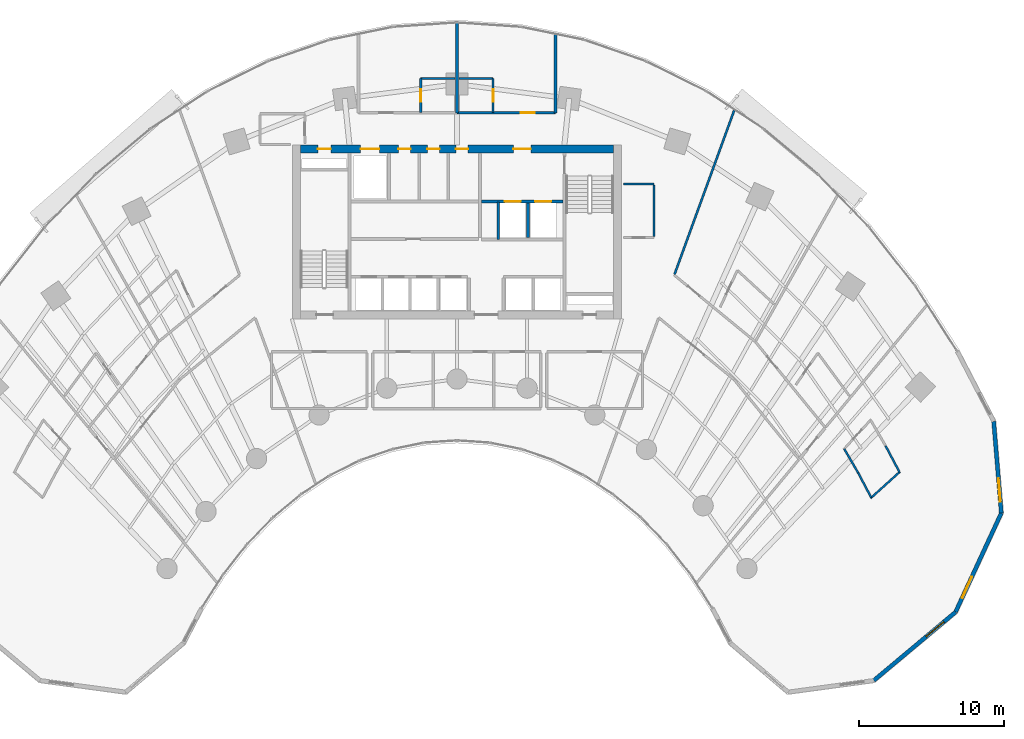
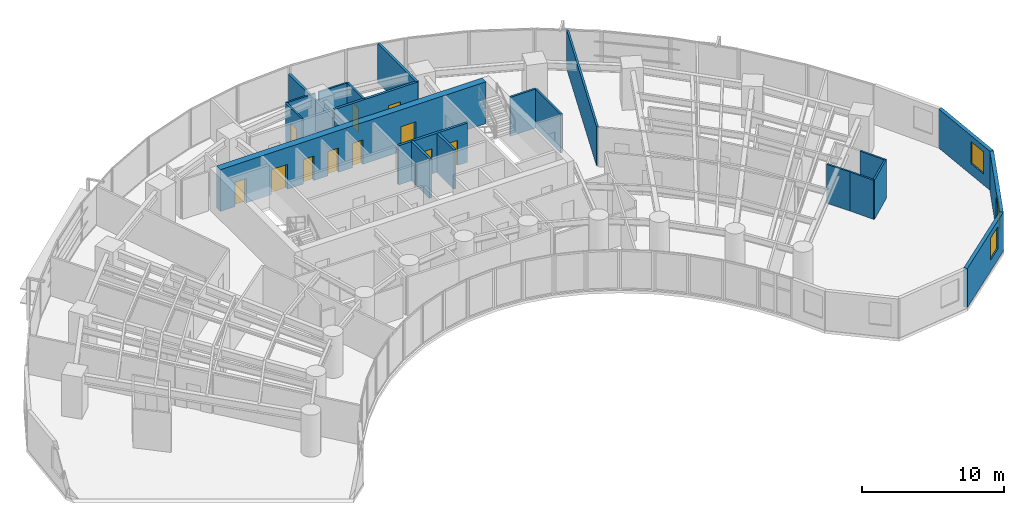
# One storey, part 14 of 17: 21 walls, 11 doors, 3 windows, 14 openings.
"""IFC4 building model written with IfcOpenShell, lengths in metres."""

import ifcopenshell
import ifcopenshell.guid

model = None  # the IFC model being written
_history = None  # IfcOwnerHistory: only IFC2X3 demands one
_inside = {}  # id of a spatial element -> (the spatial element, [elements in it])
_under = {}  # id of a project, library or spatial element -> (it, [spatial elements below it])
_declared = {}  # id of a project -> (the project, [libraries it declares])
_typed = {}  # id of a type object -> (the type object, [elements of that type])
_made_of = {}  # id of a material, layer set ... -> (it, [elements and type objects made of it])


def new_model(schema):
    """Start an empty IFC model of exactly this schema.

    Asked for "IFC4X3", IfcOpenShell would pick the latest addendum, in which some entities
    have other attributes; the version numbers below select the first issue.
    IFC2X3 requires an IfcOwnerHistory on every rooted entity: one is made here for all.
    """
    global model, _history
    if schema == "IFC4X3":
        model = ifcopenshell.file(schema_version=(4, 3, 0, 0))
    else:
        model = ifcopenshell.file(schema=schema)
    _inside.clear()
    _under.clear()
    _declared.clear()
    _typed.clear()
    _made_of.clear()
    _history = None
    if model.schema == "IFC2X3":
        org = make("IfcOrganization", Name="unknown")
        user = make(
            "IfcPersonAndOrganization",
            ThePerson=make("IfcPerson", FamilyName="unknown"),
            TheOrganization=org,
        )
        app = make(
            "IfcApplication",
            ApplicationDeveloper=org,
            Version="unknown",
            ApplicationFullName="unknown",
            ApplicationIdentifier="unknown",
        )
        _history = make(
            "IfcOwnerHistory",
            OwningUser=user,
            OwningApplication=app,
            ChangeAction="ADDED",
            CreationDate=0,
        )
    return model


def make(cls, **values):
    """One entity of the class cls with the attributes given. An attribute that is None is left unset."""
    return model.create_entity(
        cls, **{name: value for name, value in values.items() if value is not None}
    )


def rooted(cls, **values):
    """An entity with a GlobalId (a new one), such as an element, a storey or a relation."""
    return make(cls, GlobalId=ifcopenshell.guid.new(), OwnerHistory=_history, **values)


def si_unit(unit_type, name, prefix=None):
    """IfcSIUnit, for example si_unit("LENGTHUNIT", "METRE", prefix="MILLI")."""
    return make("IfcSIUnit", UnitType=unit_type, Prefix=prefix, Name=name)


def assignment(units):
    """IfcUnitAssignment: the units of a project."""
    return None if units is None else make("IfcUnitAssignment", Units=units)


def point(xyz):
    """IfcCartesianPoint."""
    return None if xyz is None else make("IfcCartesianPoint", Coordinates=xyz)


def direction(xyz):
    """IfcDirection."""
    return None if xyz is None else make("IfcDirection", DirectionRatios=xyz)


def frame(location, z_axis=None, x_axis=None):
    """IfcAxis2Placement3D, a coordinate frame: its origin and axes. An axis left out is left unset."""
    return make(
        "IfcAxis2Placement3D",
        Location=point(location),
        Axis=direction(z_axis),
        RefDirection=direction(x_axis),
    )


def frame_2d(location, x_axis=None):
    """IfcAxis2Placement2D, a coordinate frame in the plane: its origin and x axis."""
    return make(
        "IfcAxis2Placement2D", Location=point(location), RefDirection=direction(x_axis)
    )


def origin():
    """The frame at (0, 0, 0) with its axes left unset."""
    return frame((0.0, 0.0, 0.0))


def place(relative_to, where):
    """IfcLocalPlacement: puts the frame where relative to a parent placement (None: the world)."""
    return make(
        "IfcLocalPlacement", PlacementRelTo=relative_to, RelativePlacement=where
    )


def context(
    kind, dimensions, precision=None, world=None, true_north=None, identifier=None
):
    """IfcGeometricRepresentationContext, for example the 3D "Model" context."""
    return make(
        "IfcGeometricRepresentationContext",
        ContextIdentifier=identifier,
        ContextType=kind,
        CoordinateSpaceDimension=dimensions,
        Precision=precision,
        WorldCoordinateSystem=world,
        TrueNorth=true_north,
    )


def subcontext(parent, identifier, kind, view, scale=None):
    """IfcGeometricRepresentationSubContext, for example "Body" below "Model"."""
    return make(
        "IfcGeometricRepresentationSubContext",
        ContextIdentifier=identifier,
        ContextType=kind,
        ParentContext=parent,
        TargetScale=scale,
        TargetView=view,
    )


def project(units=None, contexts=None):
    """IfcProject with its units and contexts."""
    return rooted(
        "IfcProject",
        Name="project",
        RepresentationContexts=contexts,
        UnitsInContext=assignment(units),
    )


def spatial(cls, under=None, at=None, **own):
    """A site, building, storey or space (cls), placed at a placement, below another one or the project."""
    s = rooted(cls, ObjectPlacement=at, **own)
    if under is not None:
        _under.setdefault(under.id(), (under, []))[1].append(s)
    return s


def profile(cls, at=None, kind="AREA", **sizes):
    """A parametric profile (cls). Its sizes go by their IFC names, for example OverallWidth=200.0."""
    return make(cls, ProfileType=kind, Position=at, **sizes)


def rectangle(**sizes):
    """IfcRectangleProfileDef."""
    return profile("IfcRectangleProfileDef", **sizes)


def extrude(swept, where, along, depth):
    """IfcExtrudedAreaSolid: the profile swept, set in the frame where, extruded along a direction by depth."""
    return make(
        "IfcExtrudedAreaSolid",
        SweptArea=swept,
        Position=where,
        ExtrudedDirection=direction(along),
        Depth=depth,
    )


def shape(context_of_items, identifier, shape_type, items):
    """IfcShapeRepresentation: the items that make up one representation, for example the "Body"."""
    return make(
        "IfcShapeRepresentation",
        ContextOfItems=context_of_items,
        RepresentationIdentifier=identifier,
        RepresentationType=shape_type,
        Items=items,
    )


def source(mapping_origin, context_of_items, identifier, shape_type, items):
    """IfcRepresentationMap: a shape defined once, which mapped items show again and again."""
    return make(
        "IfcRepresentationMap",
        MappingOrigin=mapping_origin,
        MappedRepresentation=shape(context_of_items, identifier, shape_type, items),
    )


def transform(
    local_origin,
    x_axis=None,
    y_axis=None,
    z_axis=None,
    scale=None,
    scale2=None,
    scale3=None,
    uniform=True,
):
    """IfcCartesianTransformationOperator3D, or its non-uniform kind. x_axis, y_axis, z_axis: its Axis1, 2, 3."""
    if uniform:
        return make(
            "IfcCartesianTransformationOperator3D",
            Axis1=direction(x_axis),
            Axis2=direction(y_axis),
            LocalOrigin=point(local_origin),
            Scale=scale,
            Axis3=direction(z_axis),
        )
    return make(
        "IfcCartesianTransformationOperator3DnonUniform",
        Axis1=direction(x_axis),
        Axis2=direction(y_axis),
        LocalOrigin=point(local_origin),
        Scale=scale,
        Axis3=direction(z_axis),
        Scale2=scale2,
        Scale3=scale3,
    )


def mapped(mapping_source, mapping_target):
    """IfcMappedItem: shows the shape of a source again, moved by a transform."""
    return make(
        "IfcMappedItem", MappingSource=mapping_source, MappingTarget=mapping_target
    )


def material(Name=None, Category=None):
    """IfcMaterial."""
    return make("IfcMaterial", Name=Name, Category=Category)


def layer(
    of_material, thickness, ventilated=None, Name=None, Category=None, Priority=None
):
    """IfcMaterialLayer: one layer of a wall or slab, of a material (None: an air gap)."""
    return make(
        "IfcMaterialLayer",
        Material=of_material,
        LayerThickness=thickness,
        IsVentilated=ventilated,
        Name=Name,
        Category=Category,
        Priority=Priority,
    )


def layer_set(layers, Name=None):
    """IfcMaterialLayerSet."""
    return make("IfcMaterialLayerSet", MaterialLayers=layers, LayerSetName=Name)


def made_of(thing, what):
    """Note that an element or type object is made of a material, layer set ...; save() writes the relation."""
    if what is not None:
        _made_of.setdefault(what.id(), (what, []))[1].append(thing)
    return thing


def type_object(cls, material=None, **own):
    """A type object (cls), such as IfcWallType, which elements share."""
    return made_of(rooted(cls, **own), material)


def type_shapes(of_type, sources):
    """Give a type object the sources (RepresentationMaps) that its elements show as mapped items."""
    of_type.RepresentationMaps = sources


def element(
    cls,
    number,
    at=None,
    inside=None,
    cuts=None,
    type_object=None,
    material=None,
    context=None,
    identifier="Body",
    shape_type=None,
    held_by="IfcProductDefinitionShape",
    body=None,
    shapes=None,
    **own,
):
    """One element of the class cls, such as IfcWall. Its Tag is "e" and its number.

    at: its placement. inside: the storey or other place that contains it. cuts: it is an
    opening in that element (IfcRelVoidsElement). A single representation is given by context,
    identifier, shape_type and body (its items); several are given by shapes. held_by: the class
    of the entity that holds the representations. save() writes the other relations.
    """
    e = rooted(cls, Tag="e%d" % number, ObjectPlacement=at, **own)
    if body is not None:
        shapes = [shape(context, identifier, shape_type, body)]
    if shapes is not None:
        e.Representation = make(held_by, Representations=shapes)
    if inside is not None:
        _inside.setdefault(inside.id(), (inside, []))[1].append(e)
    if cuts is not None:
        rooted(
            "IfcRelVoidsElement", RelatingBuildingElement=cuts, RelatedOpeningElement=e
        )
    if type_object is not None:
        _typed.setdefault(type_object.id(), (type_object, []))[1].append(e)
    return made_of(e, material)


def fill(opening, filler):
    """IfcRelFillsElement: the door or window that sits in an opening."""
    return rooted(
        "IfcRelFillsElement",
        RelatingOpeningElement=opening,
        RelatedBuildingElement=filler,
    )


def aggregate(whole, parts):
    """IfcRelAggregates: a whole, such as a stair, and the parts it consists of."""
    return rooted("IfcRelAggregates", RelatingObject=whole, RelatedObjects=parts)


def save(model, path):
    """Write the relations noted so far, then the file.

    IfcRelAggregates (storeys below a building ...), IfcRelContainedInSpatialStructure (elements
    in a storey), IfcRelDefinesByType, IfcRelAssociatesMaterial and IfcRelDeclares: one each for
    every whole, place, type object, material and project.
    """
    for whole, parts in _under.values():
        aggregate(whole, parts)
    for where, things in _inside.values():
        rooted(
            "IfcRelContainedInSpatialStructure",
            RelatedElements=things,
            RelatingStructure=where,
        )
    for kind, things in _typed.values():
        rooted("IfcRelDefinesByType", RelatedObjects=things, RelatingType=kind)
    for what, things in _made_of.values():
        rooted("IfcRelAssociatesMaterial", RelatedObjects=things, RelatingMaterial=what)
    for by, libraries in _declared.values():
        rooted("IfcRelDeclares", RelatingContext=by, RelatedDefinitions=libraries)
    model.write(path)


model = new_model("IFC4")

# Units and contexts
model_context = context("Model", 3, precision=1e-05, world=origin(), true_north=direction((0.0, 1.0)))
body_context = subcontext(model_context, "Body", "Model", "MODEL_VIEW")
ifc_project = project(units=[si_unit("LENGTHUNIT", "METRE"), si_unit("AREAUNIT", "SQUARE_METRE"), si_unit("VOLUMEUNIT", "CUBIC_METRE"), si_unit("PLANEANGLEUNIT", "RADIAN"), si_unit("MASSUNIT", "GRAM", prefix="KILO")], contexts=[model_context])

# Site, building, storey
site_placement = place(None, origin())
site = spatial("IfcSite", under=ifc_project, at=site_placement, CompositionType="ELEMENT")
building_placement = place(site_placement, origin())
building = spatial("IfcBuilding", under=site, at=building_placement, Name="Breltana Convention Tower", CompositionType="ELEMENT")
storey_placement = place(building_placement, frame((0.0, 0.0, 49.800048828125)))
storey = spatial("IfcBuildingStorey", under=building, at=storey_placement, Name="L10", CompositionType="ELEMENT", Elevation=49.800048828125)

# Wall, openings, doors
ifc_material_1 = material(Name="Concrete C60/75", Category="concrete")
ifc_layer_1 = layer(ifc_material_1, 0.550048828125, Name="Concrete C60/75")
ifc_layer_set_1 = layer_set([ifc_layer_1], Name="Concrete C60/75")
wall_type_1 = type_object("IfcWallType", Name="SW-CORE-550", PredefinedType="SHEAR", material=ifc_layer_set_1)
shared_shape_1 = source(origin(), body_context, "Body", "SweptSolid", [
    extrude(rectangle(XDim=21.60009765625, YDim=0.550048828125, at=frame_2d((10.800048828125, 0.0))), origin(), (0.0, 0.0, 1.0), 3.599853515625),
])
wall_1_placement = place(storey_placement, frame((37.199951171875, 71.925048828125, 0.0), z_axis=(0.0, 0.0, 1.0), x_axis=(1.0, 0.0, 0.0)))
wall_1 = element("IfcWall", 1, at=wall_1_placement, inside=storey, type_object=wall_type_1, Name="L10 North Core Shear Wall", PredefinedType="SHEAR", context=body_context, shape_type="MappedRepresentation", body=[
    mapped(shared_shape_1, transform((0.0, 0.0, 0.0), scale=1.0)),
])
opening_1_placement = place(wall_1_placement, frame((1.199951171875, 0.0, 0.0)))
opening_1 = element("IfcOpeningElement", 2, at=opening_1_placement, cuts=wall_1, Name="Opening D-18", PredefinedType="OPENING", context=body_context, shape_type="SweptSolid", body=[
    extrude(rectangle(XDim=0.89990234375, YDim=2.10009765625, at=frame_2d((0.449951171875, 1.050048828125))), frame((0.0, 0.28515625, 0.0), z_axis=(0.0, -1.0, 0.0), x_axis=(1.0, 0.0, 0.0)), (0.0, 0.0, 1.0), 0.570068359375),
])
opening_2_placement = place(wall_1_placement, frame((14.699951171875, 0.0, 0.0)))
opening_2 = element("IfcOpeningElement", 3, at=opening_2_placement, cuts=wall_1, Name="Opening D-09", PredefinedType="OPENING", context=body_context, shape_type="SweptSolid", body=[
    extrude(rectangle(XDim=1.199951171875, YDim=2.14990234375, at=frame_2d((0.60009765625, 1.074951171875))), frame((0.0, 0.28515625, 0.0), z_axis=(0.0, -1.0, 0.0), x_axis=(1.0, 0.0, 0.0)), (0.0, 0.0, 1.0), 0.570068359375),
])
opening_3_placement = place(wall_1_placement, frame((4.14990234375, 0.0, 0.0)))
opening_3 = element("IfcOpeningElement", 4, at=opening_3_placement, cuts=wall_1, Name="Opening LD-01", PredefinedType="OPENING", context=body_context, shape_type="SweptSolid", body=[
    extrude(rectangle(XDim=1.300048828125, YDim=2.14990234375, at=frame_2d((0.64990234375, 1.074951171875))), frame((0.0, 0.28515625, 0.0), z_axis=(0.0, -1.0, 0.0), x_axis=(1.0, 0.0, 0.0)), (0.0, 0.0, 1.0), 0.570068359375),
])
opening_4_placement = place(wall_1_placement, frame((6.760009765625, 0.0, 0.0)))
opening_4 = element("IfcOpeningElement", 5, at=opening_4_placement, cuts=wall_1, Name="Opening D-20", PredefinedType="OPENING", context=body_context, shape_type="SweptSolid", body=[
    extrude(rectangle(XDim=0.85009765625, YDim=2.10009765625, at=frame_2d((0.425048828125, 1.050048828125))), frame((0.0, 0.28515625, 0.0), z_axis=(0.0, -1.0, 0.0), x_axis=(1.0, 0.0, 0.0)), (0.0, 0.0, 1.0), 0.570068359375),
])
opening_5_placement = place(wall_1_placement, frame((8.760009765625, 0.0, 0.0)))
opening_5 = element("IfcOpeningElement", 6, at=opening_5_placement, cuts=wall_1, Name="Opening D-20", PredefinedType="OPENING", context=body_context, shape_type="SweptSolid", body=[
    extrude(rectangle(XDim=0.85009765625, YDim=2.10009765625, at=frame_2d((0.425048828125, 1.050048828125))), frame((0.0, 0.28515625, 0.0), z_axis=(0.0, -1.0, 0.0), x_axis=(1.0, 0.0, 0.0)), (0.0, 0.0, 1.0), 0.570068359375),
])
opening_6_placement = place(wall_1_placement, frame((10.72509765625, 0.0, 0.0)))
opening_6 = element("IfcOpeningElement", 7, at=opening_6_placement, cuts=wall_1, Name="Opening D-20", PredefinedType="OPENING", context=body_context, shape_type="SweptSolid", body=[
    extrude(rectangle(XDim=0.85009765625, YDim=2.10009765625, at=frame_2d((0.425048828125, 1.050048828125))), frame((0.0, 0.28515625, 0.0), z_axis=(0.0, -1.0, 0.0), x_axis=(1.0, 0.0, 0.0)), (0.0, 0.0, 1.0), 0.570068359375),
])
ifc_material_2 = material(Name="Steel Riser Fire Door", Category="steel")
door_type_1 = type_object("IfcDoorType", Name="DR-FD60-900", OperationType="NOTDEFINED", PredefinedType="DOOR", material=ifc_material_2)
shared_shape_2 = source(origin(), body_context, "Body", "SweptSolid", [
    extrude(rectangle(XDim=0.89990234375, YDim=2.10009765625, at=frame_2d((0.449951171875, 1.050048828125))), frame((0.0, 0.02490234375, 0.0), z_axis=(0.0, -1.0, 0.0), x_axis=(1.0, 0.0, 0.0)), (0.0, 0.0, 1.0), 0.050048828125),
])
type_shapes(door_type_1, [shared_shape_2])
door_1_placement = place(opening_1_placement, origin())
door_1 = element("IfcDoor", 8, at=door_1_placement, inside=storey, type_object=door_type_1, Name="L10 Core Riser Access Door D-L10-RS1", OperationType="SINGLE_SWING_LEFT", OverallHeight=2.10009765625, OverallWidth=0.89990234375, PredefinedType="DOOR", context=body_context, shape_type="MappedRepresentation", body=[
    mapped(shared_shape_2, transform((0.0, 0.0, 0.0), scale=1.0)),
])
fill(opening_1, door_1)
ifc_material_3 = material(Name="Steel Fire Lobby Door", Category="steel")
door_type_2 = type_object("IfcDoorType", Name="DR-FD120-1200", OperationType="NOTDEFINED", PredefinedType="DOOR", material=ifc_material_3)
shared_shape_3 = source(origin(), body_context, "Body", "SweptSolid", [
    extrude(rectangle(XDim=1.199951171875, YDim=2.14990234375, at=frame_2d((0.60009765625, 1.074951171875))), frame((0.0, 0.02490234375, 0.0), z_axis=(0.0, -1.0, 0.0), x_axis=(1.0, 0.0, 0.0)), (0.0, 0.0, 1.0), 0.050048828125),
])
type_shapes(door_type_2, [shared_shape_3])
door_2_placement = place(opening_2_placement, origin())
door_2 = element("IfcDoor", 9, at=door_2_placement, inside=storey, type_object=door_type_2, Name="L10 interior door D-L10-FFL-N", OperationType="SINGLE_SWING_RIGHT", OverallHeight=2.14990234375, OverallWidth=1.199951171875, PredefinedType="DOOR", context=body_context, shape_type="MappedRepresentation", body=[
    mapped(shared_shape_3, transform((0.0, 0.0, 0.0), scale=1.0)),
])
fill(opening_2, door_2)
ifc_material_4 = material(Name="Stainless Steel Brushed", Category="steel")
door_type_3 = type_object("IfcDoorType", Name="DR-LD-SRV-1300", OperationType="DOUBLE_DOOR_SLIDING", PredefinedType="DOOR", material=ifc_material_4)
shared_shape_4 = source(origin(), body_context, "Body", "SweptSolid", [
    extrude(rectangle(XDim=1.300048828125, YDim=2.14990234375, at=frame_2d((0.64990234375, 1.074951171875))), frame((0.0, 0.02490234375, 0.0), z_axis=(0.0, -1.0, 0.0), x_axis=(1.0, 0.0, 0.0)), (0.0, 0.0, 1.0), 0.050048828125),
])
type_shapes(door_type_3, [shared_shape_4])
door_3_placement = place(opening_3_placement, origin())
door_3 = element("IfcDoor", 10, at=door_3_placement, inside=storey, type_object=door_type_3, Name="L10 Lift Landing Door D-L10-LD-SV1", OperationType="DOUBLE_DOOR_SLIDING", OverallHeight=2.14990234375, OverallWidth=1.300048828125, PredefinedType="DOOR", context=body_context, shape_type="MappedRepresentation", body=[
    mapped(shared_shape_4, transform((0.0, 0.0, 0.0), scale=1.0)),
])
fill(opening_3, door_3)
ifc_material_5 = material(Name="Steel Closet Fire Door", Category="steel")
door_type_4 = type_object("IfcDoorType", Name="DR-FD60-850", OperationType="NOTDEFINED", PredefinedType="DOOR", material=ifc_material_5)
shared_shape_5 = source(origin(), body_context, "Body", "SweptSolid", [
    extrude(rectangle(XDim=0.85009765625, YDim=2.10009765625, at=frame_2d((0.425048828125, 1.050048828125))), frame((0.0, 0.02490234375, 0.0), z_axis=(0.0, -1.0, 0.0), x_axis=(1.0, 0.0, 0.0)), (0.0, 0.0, 1.0), 0.050048828125),
])
type_shapes(door_type_4, [shared_shape_5])
door_4_placement = place(opening_4_placement, origin())
door_4 = element("IfcDoor", 11, at=door_4_placement, inside=storey, type_object=door_type_4, Name="L10 interior door D-L10-CRA1", OperationType="SINGLE_SWING_RIGHT", OverallHeight=2.10009765625, OverallWidth=0.85009765625, PredefinedType="DOOR", context=body_context, shape_type="MappedRepresentation", body=[
    mapped(shared_shape_5, transform((0.0, 0.0, 0.0), scale=1.0)),
])
fill(opening_4, door_4)
door_5_placement = place(opening_5_placement, origin())
door_5 = element("IfcDoor", 12, at=door_5_placement, inside=storey, type_object=door_type_4, Name="L10 interior door D-L10-CRA2", OperationType="SINGLE_SWING_LEFT", OverallHeight=2.10009765625, OverallWidth=0.85009765625, PredefinedType="DOOR", context=body_context, shape_type="MappedRepresentation", body=[
    mapped(shared_shape_5, transform((0.0, 0.0, 0.0), scale=1.0)),
])
fill(opening_5, door_5)
door_6_placement = place(opening_6_placement, origin())
door_6 = element("IfcDoor", 13, at=door_6_placement, inside=storey, type_object=door_type_4, Name="L10 interior door D-L10-CRA3", OperationType="SINGLE_SWING_RIGHT", OverallHeight=2.10009765625, OverallWidth=0.85009765625, PredefinedType="DOOR", context=body_context, shape_type="MappedRepresentation", body=[
    mapped(shared_shape_5, transform((0.0, 0.0, 0.0), scale=1.0)),
])
fill(opening_6, door_6)

# Wall, opening, window
ifc_material_6 = material(Name="Limestone Buff Insulated Wall", Category="masonry")
ifc_layer_2 = layer(ifc_material_6, 0.280029296875, Name="Limestone Buff Insulated Wall")
ifc_layer_set_2 = layer_set([ifc_layer_2], Name="Limestone Buff Insulated Wall")
wall_type_2 = type_object("IfcWallType", Name="WL-EXT-NOSE-280", PredefinedType="SOLIDWALL", material=ifc_layer_set_2)
shared_shape_6 = source(origin(), body_context, "Body", "SweptSolid", [
    extrude(rectangle(XDim=6.3525390625, YDim=0.280029296875, at=frame_2d((3.17626953125, 0.0))), origin(), (0.0, 0.0, 1.0), 3.35986328125),
])
wall_2_placement = place(storey_placement, frame((85.052978515625, 53.1220703125, 0.0), z_axis=(0.0, 0.0, 1.0), x_axis=(0.083319001377, -0.996522926986, 0.0)))
wall_2 = element("IfcWall", 14, at=wall_2_placement, inside=storey, type_object=wall_type_2, Name="L10 curved limestone nose wall E1", PredefinedType="SOLIDWALL", context=body_context, shape_type="MappedRepresentation", body=[
    mapped(shared_shape_6, transform((0.0, 0.0, 0.0), scale=1.0)),
])
opening_7_placement = place(wall_2_placement, frame((3.96435546875, 0.0, 0.949951171875)))
opening_7 = element("IfcOpeningElement", 15, at=opening_7_placement, cuts=wall_2, Name="Opening W-04", PredefinedType="OPENING", context=body_context, shape_type="SweptSolid", body=[
    extrude(rectangle(XDim=1.60009765625, YDim=1.89990234375, at=frame_2d((0.800048828125, 0.949951171875))), frame((0.0, 0.14990234375, 0.0), z_axis=(0.0, -1.0, 0.0), x_axis=(1.0, 0.0, 0.0)), (0.0, 0.0, 1.0), 0.300048828125),
])
ifc_material_7 = material(Name="Glass Low-E Insulated Window", Category="glass")
window_type = type_object("IfcWindowType", Name="WN-NOSE-1600X1900", PartitioningType="SINGLE_PANEL", PredefinedType="WINDOW", material=ifc_material_7)
shared_shape_7 = source(origin(), body_context, "Body", "SweptSolid", [
    extrude(rectangle(XDim=1.60009765625, YDim=1.89990234375, at=frame_2d((0.800048828125, 0.949951171875))), frame((0.0, 0.030029296875, 0.0), z_axis=(0.0, -1.0, 0.0), x_axis=(1.0, 0.0, 0.0)), (0.0, 0.0, 1.0), 0.06005859375),
])
type_shapes(window_type, [shared_shape_7])
window_1_placement = place(opening_7_placement, origin())
window_1 = element("IfcWindow", 16, at=window_1_placement, inside=storey, type_object=window_type, Name="L10 nose window E1", OverallHeight=1.89990234375, OverallWidth=1.60009765625, PartitioningType="SINGLE_PANEL", PredefinedType="WINDOW", context=body_context, shape_type="MappedRepresentation", body=[
    mapped(shared_shape_7, transform((0.0, 0.0, 0.0), scale=1.0)),
])
fill(opening_7, window_1)

shared_shape_8 = source(origin(), body_context, "Body", "SweptSolid", [
    extrude(rectangle(XDim=7.536376953125, YDim=0.280029296875, at=frame_2d((3.76806640625, 0.0))), origin(), (0.0, 0.0, 1.0), 3.35986328125),
])
wall_3_placement = place(storey_placement, frame((85.582275390625, 46.79150390625, 0.0), z_axis=(0.0, 0.0, 1.0), x_axis=(-0.41964973873, -0.907686122393, 0.0)))
wall_3 = element("IfcWall", 17, at=wall_3_placement, inside=storey, type_object=wall_type_2, Name="L10 curved limestone nose wall E2", PredefinedType="SOLIDWALL", context=body_context, shape_type="MappedRepresentation", body=[
    mapped(shared_shape_8, transform((0.0, 0.0, 0.0), scale=1.0)),
])
opening_8_placement = place(wall_3_placement, frame((4.852294921875, 0.0, 0.949951171875)))
opening_8 = element("IfcOpeningElement", 18, at=opening_8_placement, cuts=wall_3, Name="Opening W-04", PredefinedType="OPENING", context=body_context, shape_type="SweptSolid", body=[
    extrude(rectangle(XDim=1.60009765625, YDim=1.89990234375, at=frame_2d((0.800048828125, 0.949951171875))), frame((0.0, 0.14990234375, 0.0), z_axis=(0.0, -1.0, 0.0), x_axis=(1.0, 0.0, 0.0)), (0.0, 0.0, 1.0), 0.300048828125),
])
window_2_placement = place(opening_8_placement, origin())
window_2 = element("IfcWindow", 19, at=window_2_placement, inside=storey, type_object=window_type, Name="L10 nose window E2", OverallHeight=1.89990234375, OverallWidth=1.60009765625, PartitioningType="SINGLE_PANEL", PredefinedType="WINDOW", context=body_context, shape_type="MappedRepresentation", body=[
    mapped(shared_shape_7, transform((0.0, 0.0, 0.0), scale=1.0)),
])
fill(opening_8, window_2)

shared_shape_9 = source(origin(), body_context, "Body", "SweptSolid", [
    extrude(rectangle(XDim=7.35888671875, YDim=0.280029296875, at=frame_2d((3.679443359375, 0.0))), origin(), (0.0, 0.0, 1.0), 3.35986328125),
])
wall_4_placement = place(storey_placement, frame((82.419677734375, 39.950927734375, 0.0), z_axis=(0.0, 0.0, 1.0), x_axis=(-0.766737165543, -0.641961150675, 0.0)))
wall_4 = element("IfcWall", 20, at=wall_4_placement, inside=storey, type_object=wall_type_2, Name="L10 curved limestone nose wall E3", PredefinedType="SOLIDWALL", context=body_context, shape_type="MappedRepresentation", body=[
    mapped(shared_shape_9, transform((0.0, 0.0, 0.0), scale=1.0)),
])
opening_9_placement = place(wall_4_placement, frame((1.039794921875, 0.0, 0.949951171875)))
opening_9 = element("IfcOpeningElement", 21, at=opening_9_placement, cuts=wall_4, Name="Opening W-04", PredefinedType="OPENING", context=body_context, shape_type="SweptSolid", body=[
    extrude(rectangle(XDim=1.60009765625, YDim=1.89990234375, at=frame_2d((0.800048828125, 0.949951171875))), frame((0.0, 0.14990234375, 0.0), z_axis=(0.0, -1.0, 0.0), x_axis=(1.0, 0.0, 0.0)), (0.0, 0.0, 1.0), 0.300048828125),
])
window_3_placement = place(opening_9_placement, origin())
window_3 = element("IfcWindow", 22, at=window_3_placement, inside=storey, type_object=window_type, Name="L10 nose window E3", OverallHeight=1.89990234375, OverallWidth=1.60009765625, PartitioningType="SINGLE_PANEL", PredefinedType="WINDOW", context=body_context, shape_type="MappedRepresentation", body=[
    mapped(shared_shape_7, transform((0.0, 0.0, 0.0), scale=1.0)),
])
fill(opening_9, window_3)

# Wall
ifc_material_8 = material(Name="Gypsum Acoustic Hotel Wall")
ifc_layer_3 = layer(ifc_material_8, 0.195068359375, Name="Gypsum Acoustic Hotel Wall")
ifc_layer_set_3 = layer_set([ifc_layer_3], Name="Gypsum Acoustic Hotel Wall")
wall_type_3 = type_object("IfcWallType", Name="WL-HOTEL-200", PredefinedType="PARTITIONING", material=ifc_layer_set_3)
shared_shape_10 = source(origin(), body_context, "Body", "SweptSolid", [
    extrude(rectangle(XDim=6.215576171875, YDim=0.195068359375, at=frame_2d((3.10791015625, 0.0))), origin(), (0.0, 0.0, 1.0), 2.64404296875),
])
wall_5_placement = place(storey_placement, frame((48.0, 74.419921875, 0.0), z_axis=(0.0, 0.0, 1.0), x_axis=(0.0, 1.0, 0.0)))
element("IfcWall", 23, at=wall_5_placement, inside=storey, type_object=wall_type_3, Name="L10 interior partition W-L10-GRN-MID", PredefinedType="PARTITIONING", context=body_context, shape_type="MappedRepresentation", body=[
    mapped(shared_shape_10, transform((0.0, 0.0, 0.0), scale=1.0)),
])

# Wall, openings, doors
ifc_material_9 = material(Name="Autoclaved Aerated Concrete Block", Category="concrete")
ifc_layer_4 = layer(ifc_material_9, 0.199951171875, Name="Autoclaved Aerated Concrete Block")
ifc_layer_set_4 = layer_set([ifc_layer_4], Name="Autoclaved Aerated Concrete Block")
wall_type_4 = type_object("IfcWallType", Name="WL-SHAFT-200", PredefinedType="SOLIDWALL", material=ifc_layer_set_4)
shared_shape_11 = source(origin(), body_context, "Body", "SweptSolid", [
    extrude(rectangle(XDim=5.6201171875, YDim=0.199951171875, at=frame_2d((2.81005859375, 0.0))), origin(), (0.0, 0.0, 1.0), 3.35986328125),
])
wall_6_placement = place(storey_placement, frame((49.699951171875, 68.300048828125, 0.0), z_axis=(0.0, 0.0, 1.0), x_axis=(1.0, 0.0, 0.0)))
wall_6 = element("IfcWall", 24, at=wall_6_placement, inside=storey, type_object=wall_type_4, Name="L10 interior partition W-L10-FFL-S", PredefinedType="SOLIDWALL", context=body_context, shape_type="MappedRepresentation", body=[
    mapped(shared_shape_11, transform((0.0, 0.0, 0.0), scale=1.0)),
])
opening_10_placement = place(wall_6_placement, frame((1.60009765625, 0.0, 0.0)))
opening_10 = element("IfcOpeningElement", 25, at=opening_10_placement, cuts=wall_6, Name="Opening LD-03", PredefinedType="OPENING", context=body_context, shape_type="SweptSolid", body=[
    extrude(rectangle(XDim=1.10009765625, YDim=2.14990234375, at=frame_2d((0.550048828125, 1.074951171875))), frame((0.0, 0.10986328125, 0.0), z_axis=(0.0, -1.0, 0.0), x_axis=(1.0, 0.0, 0.0)), (0.0, 0.0, 1.0), 0.219970703125),
])
opening_11_placement = place(wall_6_placement, frame((3.699951171875, 0.0, 0.0)))
opening_11 = element("IfcOpeningElement", 26, at=opening_11_placement, cuts=wall_6, Name="Opening LD-03", PredefinedType="OPENING", context=body_context, shape_type="SweptSolid", body=[
    extrude(rectangle(XDim=1.10009765625, YDim=2.14990234375, at=frame_2d((0.550048828125, 1.074951171875))), frame((0.0, 0.10986328125, 0.0), z_axis=(0.0, -1.0, 0.0), x_axis=(1.0, 0.0, 0.0)), (0.0, 0.0, 1.0), 0.219970703125),
])
door_type_5 = type_object("IfcDoorType", Name="DR-LD-FF-1100", OperationType="DOUBLE_DOOR_SLIDING", PredefinedType="DOOR", material=ifc_material_4)
shared_shape_12 = source(origin(), body_context, "Body", "SweptSolid", [
    extrude(rectangle(XDim=1.10009765625, YDim=2.14990234375, at=frame_2d((0.550048828125, 1.074951171875))), frame((0.0, 0.02490234375, 0.0), z_axis=(0.0, -1.0, 0.0), x_axis=(1.0, 0.0, 0.0)), (0.0, 0.0, 1.0), 0.050048828125),
])
type_shapes(door_type_5, [shared_shape_12])
door_7_placement = place(opening_10_placement, origin())
door_7 = element("IfcDoor", 27, at=door_7_placement, inside=storey, type_object=door_type_5, Name="L10 Lift Landing Door D-L10-LD-FL1", OperationType="DOUBLE_DOOR_SLIDING", OverallHeight=2.14990234375, OverallWidth=1.10009765625, PredefinedType="DOOR", context=body_context, shape_type="MappedRepresentation", body=[
    mapped(shared_shape_12, transform((0.0, 0.0, 0.0), scale=1.0)),
])
fill(opening_10, door_7)
door_8_placement = place(opening_11_placement, origin())
door_8 = element("IfcDoor", 28, at=door_8_placement, inside=storey, type_object=door_type_5, Name="L10 Lift Landing Door D-L10-LD-FL2", OperationType="DOUBLE_DOOR_SLIDING", OverallHeight=2.14990234375, OverallWidth=1.10009765625, PredefinedType="DOOR", context=body_context, shape_type="MappedRepresentation", body=[
    mapped(shared_shape_12, transform((0.0, 0.0, 0.0), scale=1.0)),
])
fill(opening_11, door_8)

# Walls
shared_shape_13 = source(origin(), body_context, "Body", "SweptSolid", [
    extrude(rectangle(XDim=2.580078125, YDim=0.199951171875, at=frame_2d((1.2900390625, 0.0))), origin(), (0.0, 0.0, 1.0), 3.35986328125),
])
wall_7_placement = place(storey_placement, frame((50.85009765625, 65.679931640625, 0.0), z_axis=(0.0, 0.0, 1.0), x_axis=(0.0, 1.0, 0.0)))
element("IfcWall", 29, at=wall_7_placement, inside=storey, type_object=wall_type_4, Name="L10 interior partition W-L10-FL-W", PredefinedType="SOLIDWALL", context=body_context, shape_type="MappedRepresentation", body=[
    mapped(shared_shape_13, transform((0.0, 0.0, 0.0), scale=1.0)),
])
shared_shape_14 = source(origin(), body_context, "Body", "SweptSolid", [
    extrude(rectangle(XDim=2.39990234375, YDim=0.199951171875, at=frame_2d((1.199951171875, 0.0))), origin(), (0.0, 0.0, 1.0), 3.35986328125),
])
wall_8_placement = place(storey_placement, frame((52.89990234375, 65.800048828125, 0.0), z_axis=(0.0, 0.0, 1.0), x_axis=(0.0, 1.0, 0.0)))
element("IfcWall", 30, at=wall_8_placement, inside=storey, type_object=wall_type_4, Name="L10 interior partition W-L10-FL-DIV", PredefinedType="SOLIDWALL", context=body_context, shape_type="MappedRepresentation", body=[
    mapped(shared_shape_14, transform((0.0, 0.0, 0.0), scale=1.0)),
])
ifc_material_10 = material(Name="Gypsum Acoustic Drywall Partition")
ifc_layer_5 = layer(ifc_material_10, 0.14990234375, Name="Gypsum Acoustic Drywall Partition")
ifc_layer_set_5 = layer_set([ifc_layer_5], Name="Gypsum Acoustic Drywall Partition")
wall_type_5 = type_object("IfcWallType", Name="WL-PART-150", PredefinedType="PARTITIONING", material=ifc_layer_set_5)
shared_shape_15 = source(origin(), body_context, "Body", "SweptSolid", [
    extrude(rectangle(XDim=2.10009765625, YDim=0.14990234375, at=frame_2d((1.050048828125, 0.0))), origin(), (0.0, 0.0, 1.0), 3.35986328125),
])
wall_9_placement = place(storey_placement, frame((59.5, 69.5, 0.0), z_axis=(0.0, 0.0, 1.0), x_axis=(1.0, 0.0, 0.0)))
element("IfcWall", 31, at=wall_9_placement, inside=storey, type_object=wall_type_5, Name="L10 interior partition W-L10-CRSE-N", PredefinedType="PARTITIONING", context=body_context, shape_type="MappedRepresentation", body=[
    mapped(shared_shape_15, transform((0.0, 0.0, 0.0), scale=1.0)),
])

# Wall, opening, door
shared_shape_16 = source(origin(), body_context, "Body", "SweptSolid", [
    extrude(rectangle(XDim=6.800048828125, YDim=0.195068359375, at=frame_2d((3.39990234375, 0.0))), origin(), (0.0, 0.0, 1.0), 3.35986328125),
])
wall_10_placement = place(storey_placement, frame((48.0, 74.419921875, 0.0), z_axis=(0.0, 0.0, 1.0), x_axis=(1.0, 0.0, 0.0)))
wall_10 = element("IfcWall", 32, at=wall_10_placement, inside=storey, type_object=wall_type_3, Name="L10 interior partition W-L10-GRN2-S", PredefinedType="PARTITIONING", context=body_context, shape_type="MappedRepresentation", body=[
    mapped(shared_shape_16, transform((0.0, 0.0, 0.0), scale=1.0)),
])
opening_12_placement = place(wall_10_placement, frame((4.4208984375, 0.0, 0.0)))
opening_12 = element("IfcOpeningElement", 33, at=opening_12_placement, cuts=wall_10, Name="Opening D-14", PredefinedType="OPENING", context=body_context, shape_type="SweptSolid", body=[
    extrude(rectangle(XDim=0.949951171875, YDim=2.14990234375, at=frame_2d((0.47509765625, 1.074951171875))), frame((0.0, 0.107421875, 0.0), z_axis=(0.0, -1.0, 0.0), x_axis=(1.0, 0.0, 0.0)), (0.0, 0.0, 1.0), 0.215087890625),
])
ifc_material_11 = material(Name="Timber Solid-Core Fire Door", Category="wood")
door_type_6 = type_object("IfcDoorType", Name="DR-FD60-950", OperationType="NOTDEFINED", PredefinedType="DOOR", material=ifc_material_11)
shared_shape_17 = source(origin(), body_context, "Body", "SweptSolid", [
    extrude(rectangle(XDim=0.949951171875, YDim=2.14990234375, at=frame_2d((0.47509765625, 1.074951171875))), frame((0.0, 0.02490234375, 0.0), z_axis=(0.0, -1.0, 0.0), x_axis=(1.0, 0.0, 0.0)), (0.0, 0.0, 1.0), 0.050048828125),
])
type_shapes(door_type_6, [shared_shape_17])
door_9_placement = place(opening_12_placement, origin())
door_9 = element("IfcDoor", 34, at=door_9_placement, inside=storey, type_object=door_type_6, Name="L10 interior door D-L10-GRN2", OperationType="SINGLE_SWING_LEFT", OverallHeight=2.14990234375, OverallWidth=0.949951171875, PredefinedType="DOOR", context=body_context, shape_type="MappedRepresentation", body=[
    mapped(shared_shape_17, transform((0.0, 0.0, 0.0), scale=1.0)),
])
fill(opening_12, door_9)

# Walls
shared_shape_18 = source(origin(), body_context, "Body", "SweptSolid", [
    extrude(rectangle(XDim=5.42626953125, YDim=0.195068359375, at=frame_2d((2.713134765625, 0.0))), origin(), (0.0, 0.0, 1.0), 3.35986328125),
])
wall_11_placement = place(storey_placement, frame((54.800048828125, 74.419921875, 0.0), z_axis=(0.0, 0.0, 1.0), x_axis=(0.0, 1.0, 0.0)))
element("IfcWall", 35, at=wall_11_placement, inside=storey, type_object=wall_type_3, Name="L10 interior partition W-L10-GRN2-SD", PredefinedType="PARTITIONING", context=body_context, shape_type="MappedRepresentation", body=[
    mapped(shared_shape_18, transform((0.0, 0.0, 0.0), scale=1.0)),
])
ifc_material_12 = material(Name="Moisture-Resistant En-Suite Partition")
ifc_layer_6 = layer(ifc_material_12, 0.139892578125, Name="Moisture-Resistant En-Suite Partition")
ifc_layer_set_6 = layer_set([ifc_layer_6], Name="Moisture-Resistant En-Suite Partition")
wall_type_6 = type_object("IfcWallType", Name="WL-WET-150", PredefinedType="PARTITIONING", material=ifc_layer_set_6)
shared_shape_19 = source(origin(), body_context, "Body", "SweptSolid", [
    extrude(rectangle(XDim=2.35009765625, YDim=0.139892578125, at=frame_2d((1.175048828125, 0.0))), origin(), (0.0, 0.0, 1.0), 3.35986328125),
])
for number, where, z_axis, x_axis, name in (
    (36, (45.5, 76.780029296875, 0.0), (0.0, 0.0, 1.0), (1.0, 0.0, 0.0), "L10 interior partition W-L10-ENSN1-N"),
    (37, (48.14990234375, 76.780029296875, 0.0), (0.0, 0.0, 1.0), (1.0, 0.0, 0.0), "L10 interior partition W-L10-ENSN2-N"),
):
    element("IfcWall", number, at=place(storey_placement, frame(where, z_axis=z_axis, x_axis=x_axis)), inside=storey, type_object=wall_type_6, Name=name, PredefinedType="PARTITIONING", context=body_context, shape_type="MappedRepresentation", body=[
        mapped(shared_shape_19, transform((0.0, 0.0, 0.0), scale=1.0)),
    ])

# Wall, opening, door
shared_shape_20 = source(origin(), body_context, "Body", "SweptSolid", [
    extrude(rectangle(XDim=2.330078125, YDim=0.139892578125, at=frame_2d((1.1650390625, 0.0))), origin(), (0.0, 0.0, 1.0), 3.35986328125),
])
wall_12_placement = place(storey_placement, frame((45.5, 74.449951171875, 0.0), z_axis=(0.0, 0.0, 1.0), x_axis=(0.0, 1.0, 0.0)))
wall_12 = element("IfcWall", 38, at=wall_12_placement, inside=storey, type_object=wall_type_6, Name="L10 interior partition W-L10-ENSN1-SD", PredefinedType="PARTITIONING", context=body_context, shape_type="MappedRepresentation", body=[
    mapped(shared_shape_20, transform((0.0, 0.0, 0.0), scale=1.0)),
])
opening_13_placement = place(wall_12_placement, frame((0.739990234375, 0.0, 0.0)))
opening_13 = element("IfcOpeningElement", 39, at=opening_13_placement, cuts=wall_12, Name="Opening D-21", PredefinedType="OPENING", context=body_context, shape_type="SweptSolid", body=[
    extrude(rectangle(XDim=0.85009765625, YDim=2.050048828125, at=frame_2d((0.425048828125, 1.02490234375))), frame((0.0, 0.080078125, 0.0), z_axis=(0.0, -1.0, 0.0), x_axis=(1.0, 0.0, 0.0)), (0.0, 0.0, 1.0), 0.159912109375),
])
ifc_material_13 = material(Name="Timber Moisture-Resistant En-Suite Door", Category="wood")
door_type_7 = type_object("IfcDoorType", Name="DR-WET-850", OperationType="NOTDEFINED", PredefinedType="DOOR", material=ifc_material_13)
shared_shape_21 = source(origin(), body_context, "Body", "SweptSolid", [
    extrude(rectangle(XDim=0.85009765625, YDim=2.050048828125, at=frame_2d((0.425048828125, 1.02490234375))), frame((0.0, 0.02490234375, 0.0), z_axis=(0.0, -1.0, 0.0), x_axis=(1.0, 0.0, 0.0)), (0.0, 0.0, 1.0), 0.050048828125),
])
type_shapes(door_type_7, [shared_shape_21])
door_10_placement = place(opening_13_placement, origin())
door_10 = element("IfcDoor", 40, at=door_10_placement, inside=storey, type_object=door_type_7, Name="L10 interior door D-L10-ENSN1", OperationType="SINGLE_SWING_RIGHT", OverallHeight=2.050048828125, OverallWidth=0.85009765625, PredefinedType="DOOR", context=body_context, shape_type="MappedRepresentation", body=[
    mapped(shared_shape_21, transform((0.0, 0.0, 0.0), scale=1.0)),
])
fill(opening_13, door_10)

wall_13_placement = place(storey_placement, frame((50.5, 74.449951171875, 0.0), z_axis=(0.0, 0.0, 1.0), x_axis=(0.0, 1.0, 0.0)))
wall_13 = element("IfcWall", 41, at=wall_13_placement, inside=storey, type_object=wall_type_6, Name="L10 interior partition W-L10-ENSN2-SD", PredefinedType="PARTITIONING", context=body_context, shape_type="MappedRepresentation", body=[
    mapped(shared_shape_20, transform((0.0, 0.0, 0.0), scale=1.0)),
])
opening_14_placement = place(wall_13_placement, frame((0.739990234375, 0.0, 0.0)))
opening_14 = element("IfcOpeningElement", 42, at=opening_14_placement, cuts=wall_13, Name="Opening D-21", PredefinedType="OPENING", context=body_context, shape_type="SweptSolid", body=[
    extrude(rectangle(XDim=0.85009765625, YDim=2.050048828125, at=frame_2d((0.425048828125, 1.02490234375))), frame((0.0, 0.080078125, 0.0), z_axis=(0.0, -1.0, 0.0), x_axis=(1.0, 0.0, 0.0)), (0.0, 0.0, 1.0), 0.159912109375),
])
door_11_placement = place(opening_14_placement, origin())
door_11 = element("IfcDoor", 43, at=door_11_placement, inside=storey, type_object=door_type_7, Name="L10 interior door D-L10-ENSN2", OperationType="SINGLE_SWING_RIGHT", OverallHeight=2.050048828125, OverallWidth=0.85009765625, PredefinedType="DOOR", context=body_context, shape_type="MappedRepresentation", body=[
    mapped(shared_shape_21, transform((0.0, 0.0, 0.0), scale=1.0)),
])
fill(opening_14, door_11)

# Walls
shared_shape_22 = source(origin(), body_context, "Body", "SweptSolid", [
    extrude(rectangle(XDim=2.738037109375, YDim=0.139892578125, at=frame_2d((1.369140625, 0.0))), origin(), (0.0, 0.0, 1.0), 3.35986328125),
])
wall_14_placement = place(storey_placement, frame((76.560302734375, 47.81396484375, 0.0), z_axis=(0.0, 0.0, 1.0), x_axis=(0.741873676582, 0.670539669218, 0.0)))
element("IfcWall", 44, at=wall_14_placement, inside=storey, type_object=wall_type_6, Name="L10 interior partition W-L10-CSENS-E-F", PredefinedType="PARTITIONING", context=body_context, shape_type="MappedRepresentation", body=[
    mapped(shared_shape_22, transform((0.0, 0.0, 0.0), scale=1.0)),
])
shared_shape_23 = source(origin(), body_context, "Body", "SweptSolid", [
    extrude(rectangle(XDim=1.936279296875, YDim=0.139892578125, at=frame_2d((0.96826171875, 0.0))), origin(), (0.0, 0.0, 1.0), 3.35986328125),
])
wall_15_placement = place(storey_placement, frame((75.697265625, 49.5634765625, 0.0), z_axis=(0.0, 0.0, 1.0), x_axis=(0.467174971862, -0.884164886017, 0.0)))
element("IfcWall", 45, at=wall_15_placement, inside=storey, type_object=wall_type_6, Name="L10 interior partition W-L10-CSENS-E-B1B", PredefinedType="PARTITIONING", context=body_context, shape_type="MappedRepresentation", body=[
    mapped(shared_shape_23, transform((0.0, 0.0, 0.0), scale=1.0)),
])
shared_shape_24 = source(origin(), body_context, "Body", "SweptSolid", [
    extrude(rectangle(XDim=2.068115234375, YDim=0.139892578125, at=frame_2d((1.0341796875, 0.0))), origin(), (0.0, 0.0, 1.0), 3.35986328125),
])
wall_16_placement = place(storey_placement, frame((77.583740234375, 51.44091796875, 0.0), z_axis=(0.0, 0.0, 1.0), x_axis=(0.467215057643, -0.884143704333, 0.0)))
element("IfcWall", 46, at=wall_16_placement, inside=storey, type_object=wall_type_6, Name="L10 interior partition W-L10-CSENS-E-B2B", PredefinedType="PARTITIONING", context=body_context, shape_type="MappedRepresentation", body=[
    mapped(shared_shape_24, transform((0.0, 0.0, 0.0), scale=1.0)),
])
shared_shape_25 = source(origin(), body_context, "Body", "SweptSolid", [
    extrude(rectangle(XDim=1.914306640625, YDim=0.139892578125, at=frame_2d((0.95703125, 0.0))), origin(), (0.0, 0.0, 1.0), 3.35986328125),
])
wall_17_placement = place(storey_placement, frame((74.735595703125, 51.21875, 0.0), z_axis=(0.0, 0.0, 1.0), x_axis=(0.502347790612, -0.864665656347, 0.0)))
element("IfcWall", 47, at=wall_17_placement, inside=storey, type_object=wall_type_6, Name="L10 interior partition W-L10-CSENS-E-B1A", PredefinedType="PARTITIONING", context=body_context, shape_type="MappedRepresentation", body=[
    mapped(shared_shape_25, transform((0.0, 0.0, 0.0), scale=1.0)),
])
shared_shape_26 = source(origin(), body_context, "Body", "SweptSolid", [
    extrude(rectangle(XDim=3.565185546875, YDim=0.14990234375, at=frame_2d((1.78271484375, 0.0))), origin(), (0.0, 0.0, 1.0), 3.35986328125),
])
wall_18_placement = place(storey_placement, frame((61.60009765625, 65.867431640625, 0.0), z_axis=(0.0, 0.0, 1.0), x_axis=(0.0, 1.0, 0.0)))
element("IfcWall", 48, at=wall_18_placement, inside=storey, type_object=wall_type_5, Name="L10 interior partition W-L10-CRSE-E", PredefinedType="PARTITIONING", context=body_context, shape_type="MappedRepresentation", body=[
    mapped(shared_shape_26, transform((0.0, 0.0, 0.0), scale=1.0)),
])
shared_shape_27 = source(origin(), body_context, "Body", "SweptSolid", [
    extrude(rectangle(XDim=12.088134765625, YDim=0.14990234375, at=frame_2d((6.0439453125, 0.0))), origin(), (0.0, 0.0, 1.0), 3.35986328125),
])
wall_19_placement = place(storey_placement, frame((63.0185546875, 63.26220703125, 0.0), z_axis=(0.0, 0.0, 1.0), x_axis=(0.34203007529, 0.939689005787, 0.0)))
element("IfcWall", 49, at=wall_19_placement, inside=storey, type_object=wall_type_5, Name="L10 interior partition W-L10-HS03-RA", PredefinedType="PARTITIONING", context=body_context, shape_type="MappedRepresentation", body=[
    mapped(shared_shape_27, transform((0.0, 0.0, 0.0), scale=1.0)),
])

save(model, "model.ifc")
